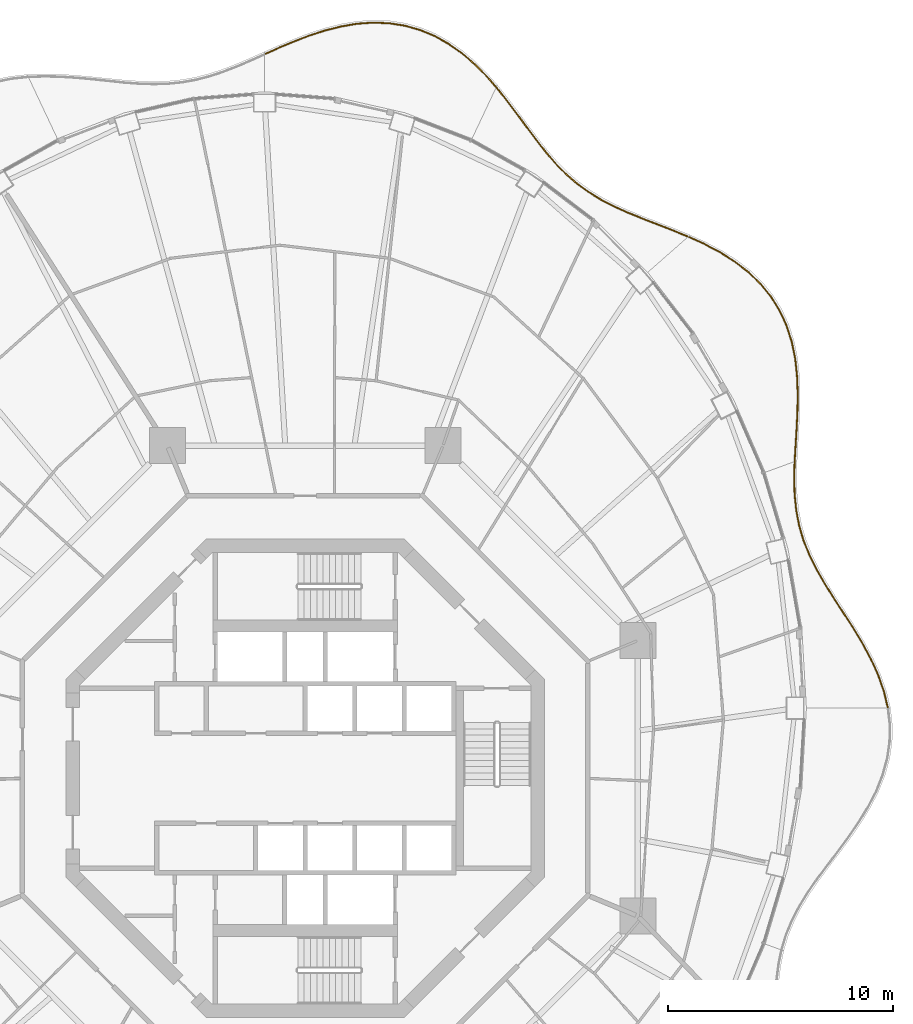
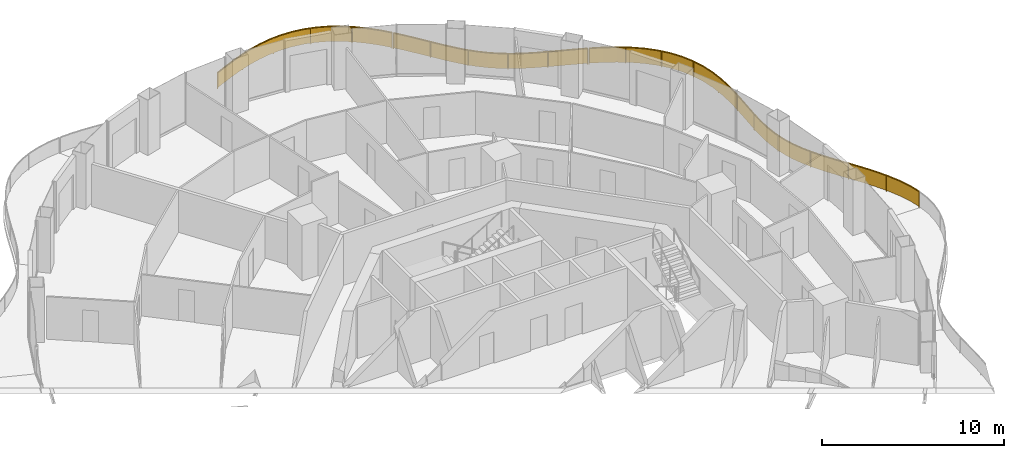
# One storey, part 18 of 18: 4 railings.
"""IFC4 building model written with IfcOpenShell, lengths in metres."""

from ifc_helpers import new_model, si_unit, direction, frame, origin, origin_2d, place, context, subcontext, project, spatial, polyline, rectangle, outline, extrude, material, type_object, element, save


model = new_model("IFC4")

# Units and contexts
model_context = context("Model", 3, precision=1e-05, world=origin(), true_north=direction((0.0, 1.0)))
body_context = subcontext(model_context, "Body", "Model", "MODEL_VIEW")
ifc_project = project(units=[si_unit("LENGTHUNIT", "METRE"), si_unit("AREAUNIT", "SQUARE_METRE"), si_unit("VOLUMEUNIT", "CUBIC_METRE"), si_unit("PLANEANGLEUNIT", "RADIAN"), si_unit("MASSUNIT", "GRAM", prefix="KILO")], contexts=[model_context])

# Site, building, storey
site_placement = place(None, origin())
site = spatial("IfcSite", under=ifc_project, at=site_placement, CompositionType="ELEMENT")
building_placement = place(site_placement, origin())
building = spatial("IfcBuilding", under=site, at=building_placement, Name="Nagisa Residences", CompositionType="ELEMENT")
storey_placement = place(building_placement, frame((0.0, 0.0, 241.800048828125)))
storey = spatial("IfcBuildingStorey", under=building, at=storey_placement, Name="L61", CompositionType="ELEMENT", Elevation=241.800048828125)

# Railings
ifc_material = material(Name="Stainless steel 316", Category="steel")
railing_type = type_object("IfcRailingType", Name="BALCONY GUARD 1100", PredefinedType="BALUSTRADE", material=ifc_material)
railing_1_placement = place(storey_placement, frame((25.881591796875, 3.1552734375, 0.0)))
element("IfcRailing", 1, at=railing_1_placement, inside=storey, type_object=railing_type, Name="guard:L61:bal00-0", PredefinedType="BALUSTRADE", context=body_context, shape_type="SweptSolid", body=[
    extrude(outline(polyline([(-0.1904296875, 0.693359375), (-0.0244140625, -0.005859375), (0.0244140625, 0.005859375), (-0.142578125, 0.70751953125), (-0.401123046875, 1.4443359375), (-0.72900390625, 2.1669921875), (-1.109619140625, 2.8720703125), (-1.5244140625, 3.5595703125), (-1.952880859375, 4.216064453125), (-2.379150390625, 4.87158203125), (-2.78271484375, 5.5166015625), (-3.148681640625, 6.155517578125), (-3.46435546875, 6.794921875), (-3.7177734375, 7.4267578125), (-3.91064453125, 8.08447265625), (-4.039794921875, 8.76025390625), (-4.1103515625, 9.457763671875), (-4.1298828125, 10.1796875), (-4.111328125, 10.8828125), (-4.1611328125, 10.88427734375), (-4.18017578125, 10.1796875), (-4.16015625, 9.454345703125), (-4.089599609375, 8.7529296875), (-3.95947265625, 8.07275390625), (-3.76513671875, 7.41015625), (-3.51025390625, 6.7744140625), (-3.193115234375, 6.132080078125), (-2.82568359375, 5.49072265625), (-2.421142578125, 4.8447265625), (-1.994873046875, 4.188720703125), (-1.56689453125, 3.53271484375), (-1.153076171875, 2.84716796875), (-0.77392578125, 2.14453125), (-0.447509765625, 1.42578125), (-0.1904296875, 0.693359375)])), frame((0.0, 0.0, 1.050048828125)), (0.0, 0.0, 1.0), 0.050048828125),
    extrude(outline(polyline([(-0.17333984375, 0.698486328125), (-0.0068359375, -0.001708984375), (0.0068359375, 0.001708984375), (-0.15966796875, 0.702392578125), (-0.417724609375, 1.437744140625), (-0.7451171875, 2.158935546875), (-1.125244140625, 2.863037109375), (-1.539794921875, 3.5498046875), (-1.968017578125, 4.206298828125), (-2.394287109375, 4.86181640625), (-2.798095703125, 5.50732421875), (-3.164794921875, 6.14697265625), (-3.48095703125, 6.78759765625), (-3.73486328125, 7.420654296875), (-3.92822265625, 8.080322265625), (-4.057861328125, 8.757568359375), (-4.128173828125, 9.45654296875), (-4.14794921875, 10.1796875), (-4.129150390625, 10.88330078125), (-4.143310546875, 10.8837890625), (-4.162109375, 10.1796875), (-4.142333984375, 9.45556640625), (-4.071533203125, 8.755615234375), (-3.94189453125, 8.076904296875), (-3.748046875, 7.416259765625), (-3.49365234375, 6.78173828125), (-3.177001953125, 6.140625), (-2.810302734375, 5.5), (-2.406005859375, 4.8544921875), (-1.979736328125, 4.198486328125), (-1.551513671875, 3.54248046875), (-1.137451171875, 2.856201171875), (-0.7578125, 2.152587890625), (-0.430908203125, 1.432373046875), (-0.17333984375, 0.698486328125)])), frame((0.0, 0.0, 0.06005859375)), (0.0, 0.0, 1.0), 0.989990234375),
    extrude(rectangle(XDim=0.0400390625, YDim=0.0400390625, at=origin_2d()), origin(), (0.0, 0.0, 1.0), 1.050048828125),
    extrude(rectangle(XDim=0.0400390625, YDim=0.0400390625, at=origin_2d()), frame((-0.790771484375, 2.228515625, 0.0)), (0.0, 0.0, 1.0), 1.050048828125),
    extrude(rectangle(XDim=0.0400390625, YDim=0.0400390625, at=origin_2d()), frame((-2.01220703125, 4.26123046875, 0.0)), (0.0, 0.0, 1.0), 1.050048828125),
    extrude(rectangle(XDim=0.0400390625, YDim=0.0400390625, at=origin_2d()), frame((-3.242431640625, 6.28857421875, 0.0)), (0.0, 0.0, 1.0), 1.050048828125),
    extrude(rectangle(XDim=0.0400390625, YDim=0.0400390625, at=origin_2d()), frame((-4.019287109375, 8.519287109375, 0.0)), (0.0, 0.0, 1.0), 1.050048828125),
    extrude(rectangle(XDim=0.0400390625, YDim=0.0400390625, at=origin_2d()), frame((-4.13623046875, 10.883544921875, 0.0)), (0.0, 0.0, 1.0), 1.050048828125),
])
railing_2_placement = place(storey_placement, frame((21.75048828125, 14.11328125, 0.0)))
element("IfcRailing", 2, at=railing_2_placement, inside=storey, type_object=railing_type, Name="guard:L61:bal01-0", PredefinedType="BALUSTRADE", context=body_context, shape_type="SweptSolid", body=[
    extrude(outline(polyline([(0.01513671875, 0.703857421875), (-0.02490234375, 0.00146484375), (0.02490234375, -0.00146484375), (0.06494140625, 0.700927734375), (0.111572265625, 1.46484375), (0.14794921875, 2.24169921875), (0.157958984375, 3.0234375), (0.125244140625, 3.802978515625), (0.04345703125, 4.556884765625), (-0.1123046875, 5.302490234375), (-0.343505859375, 6.01708984375), (-0.6552734375, 6.6923828125), (-1.0478515625, 7.32080078125), (-1.51123046875, 7.88623046875), (-2.052978515625, 8.40673828125), (-2.658203125, 8.87353515625), (-3.314697265625, 9.2880859375), (-4.00830078125, 9.655517578125), (-4.684326171875, 9.961669921875), (-4.704833984375, 9.916259765625), (-4.0302734375, 9.610595703125), (-3.339599609375, 9.24462890625), (-2.68701171875, 8.83251953125), (-2.085693359375, 8.36865234375), (-1.5478515625, 7.85205078125), (-1.08837890625, 7.29150390625), (-0.69921875, 6.66845703125), (-0.390380859375, 5.9990234375), (-0.16064453125, 5.289794921875), (-0.005859375, 4.549072265625), (0.075439453125, 3.799072265625), (0.107666015625, 3.02294921875), (0.09814453125, 2.2431640625), (0.061767578125, 1.4677734375), (0.01513671875, 0.703857421875)])), frame((0.0, 0.0, 1.050048828125)), (0.0, 0.0, 1.0), 0.050048828125),
    extrude(outline(polyline([(0.032958984375, 0.702880859375), (-0.007080078125, 0.00048828125), (0.007080078125, -0.00048828125), (0.047119140625, 0.701904296875), (0.09375, 1.4658203125), (0.130126953125, 2.2421875), (0.139892578125, 3.023193359375), (0.107421875, 3.801513671875), (0.025634765625, 4.553955078125), (-0.129638671875, 5.2978515625), (-0.3603515625, 6.010498046875), (-0.671142578125, 6.683837890625), (-1.0625, 7.310302734375), (-1.5244140625, 7.873779296875), (-2.064697265625, 8.39306640625), (-2.668701171875, 8.85888671875), (-3.32373046875, 9.2724609375), (-4.01611328125, 9.639404296875), (-4.691650390625, 9.9453125), (-4.697509765625, 9.9326171875), (-4.0224609375, 9.626708984375), (-3.33056640625, 9.26025390625), (-2.676513671875, 8.84716796875), (-2.073974609375, 8.38232421875), (-1.53466796875, 7.864501953125), (-1.07373046875, 7.302001953125), (-0.683349609375, 6.677001953125), (-0.37353515625, 6.005615234375), (-0.143310546875, 5.29443359375), (0.011962890625, 4.552001953125), (0.09326171875, 3.800537109375), (0.125732421875, 3.023193359375), (0.115966796875, 2.24267578125), (0.07958984375, 1.466796875), (0.032958984375, 0.702880859375)])), frame((0.0, 0.0, 0.06005859375)), (0.0, 0.0, 1.0), 0.989990234375),
    extrude(rectangle(XDim=0.0400390625, YDim=0.0400390625, at=origin_2d()), origin(), (0.0, 0.0, 1.0), 1.050048828125),
    extrude(rectangle(XDim=0.0400390625, YDim=0.0400390625, at=origin_2d()), frame((0.1123046875, 2.010986328125, 0.0)), (0.0, 0.0, 1.0), 1.050048828125),
    extrude(rectangle(XDim=0.0400390625, YDim=0.0400390625, at=origin_2d()), frame((0.076416015625, 4.022705078125, 0.0)), (0.0, 0.0, 1.0), 1.050048828125),
    extrude(rectangle(XDim=0.0400390625, YDim=0.0400390625, at=origin_2d()), frame((-0.358642578125, 5.982421875, 0.0)), (0.0, 0.0, 1.0), 1.050048828125),
    extrude(rectangle(XDim=0.0400390625, YDim=0.0400390625, at=origin_2d()), frame((-1.390625, 7.69970703125, 0.0)), (0.0, 0.0, 1.0), 1.050048828125),
    extrude(rectangle(XDim=0.0400390625, YDim=0.0400390625, at=origin_2d()), frame((-2.913330078125, 9.005126953125, 0.0)), (0.0, 0.0, 1.0), 1.050048828125),
    extrude(rectangle(XDim=0.0400390625, YDim=0.0400390625, at=origin_2d()), frame((-4.694580078125, 9.93896484375, 0.0)), (0.0, 0.0, 1.0), 1.050048828125),
])
railing_3_placement = place(storey_placement, frame((16.98486328125, 24.08154296875, 0.0)))
element("IfcRailing", 3, at=railing_3_placement, inside=storey, type_object=railing_type, Name="guard:L61:bal02-0", PredefinedType="BALUSTRADE", context=body_context, shape_type="SweptSolid", body=[
    extrude(outline(polyline([(-0.65869140625, 0.24169921875), (-0.009521484375, -0.023193359375), (0.009521484375, 0.023193359375), (-0.64013671875, 0.2880859375), (-1.32763671875, 0.55615234375), (-2.000244140625, 0.8173828125), (-2.649658203125, 1.083251953125), (-3.268798828125, 1.364013671875), (-3.841796875, 1.658935546875), (-4.390625, 1.997314453125), (-4.90478515625, 2.37451171875), (-5.3876953125, 2.794189453125), (-5.844482421875, 3.257568359375), (-6.26904296875, 3.753662109375), (-6.697265625, 4.296142578125), (-7.1240234375, 4.86767578125), (-7.55859375, 5.458251953125), (-8.009765625, 6.0556640625), (-8.45361328125, 6.611328125), (-8.49267578125, 6.580078125), (-8.04931640625, 6.02490234375), (-7.5986328125, 5.428466796875), (-7.1640625, 4.837890625), (-6.73681640625, 4.265869140625), (-6.3076171875, 3.721923828125), (-5.881591796875, 3.223876953125), (-5.421875, 2.757568359375), (-4.93603515625, 2.33544921875), (-4.41845703125, 1.955810546875), (-3.8662109375, 1.615478515625), (-3.290771484375, 1.319091796875), (-2.669677734375, 1.037353515625), (-2.018798828125, 0.77099609375), (-1.345703125, 0.50927734375), (-0.65869140625, 0.24169921875)])), frame((0.0, 0.0, 1.050048828125)), (0.0, 0.0, 1.0), 0.050048828125),
    extrude(outline(polyline([(-0.652099609375, 0.25830078125), (-0.002685546875, -0.006591796875), (0.002685546875, 0.006591796875), (-0.646728515625, 0.271484375), (-1.334228515625, 0.539306640625), (-2.0068359375, 0.80078125), (-2.656982421875, 1.066650390625), (-3.27685546875, 1.347900390625), (-3.8505859375, 1.643310546875), (-4.400634765625, 1.982421875), (-4.916015625, 2.3603515625), (-5.39990234375, 2.781005859375), (-5.85791015625, 3.245361328125), (-6.282958984375, 3.7421875), (-6.71142578125, 4.28515625), (-7.138427734375, 4.85693359375), (-7.572998046875, 5.447509765625), (-8.02392578125, 6.044677734375), (-8.4677734375, 6.60009765625), (-8.478515625, 6.59130859375), (-8.03515625, 6.035888671875), (-7.584228515625, 5.439208984375), (-7.149658203125, 4.8486328125), (-6.72265625, 4.27685546875), (-6.293701171875, 3.7333984375), (-5.8681640625, 3.236083984375), (-5.40966796875, 2.770751953125), (-4.9248046875, 2.349609375), (-4.408447265625, 1.970703125), (-3.857421875, 1.631103515625), (-3.28271484375, 1.335205078125), (-2.662353515625, 1.053955078125), (-2.01220703125, 0.78759765625), (-1.339111328125, 0.526123046875), (-0.652099609375, 0.25830078125)])), frame((0.0, 0.0, 0.06005859375)), (0.0, 0.0, 1.0), 0.989990234375),
    extrude(rectangle(XDim=0.0400390625, YDim=0.0400390625, at=origin_2d()), origin(), (0.0, 0.0, 1.0), 1.050048828125),
    extrude(rectangle(XDim=0.0400390625, YDim=0.0400390625, at=origin_2d()), frame((-2.050048828125, 0.810791015625, 0.0)), (0.0, 0.0, 1.0), 1.050048828125),
    extrude(rectangle(XDim=0.0400390625, YDim=0.0400390625, at=origin_2d()), frame((-4.04052734375, 1.752197265625, 0.0)), (0.0, 0.0, 1.0), 1.050048828125),
    extrude(rectangle(XDim=0.0400390625, YDim=0.0400390625, at=origin_2d()), frame((-5.752685546875, 3.128662109375, 0.0)), (0.0, 0.0, 1.0), 1.050048828125),
    extrude(rectangle(XDim=0.0400390625, YDim=0.0400390625, at=origin_2d()), frame((-7.136474609375, 4.8427734375, 0.0)), (0.0, 0.0, 1.0), 1.050048828125),
    extrude(rectangle(XDim=0.0400390625, YDim=0.0400390625, at=origin_2d()), frame((-8.47314453125, 6.595703125, 0.0)), (0.0, 0.0, 1.0), 1.050048828125),
])
railing_4_placement = place(storey_placement, frame((8.463134765625, 30.73681640625, 0.0)))
element("IfcRailing", 4, at=railing_4_placement, inside=storey, type_object=railing_type, Name="guard:L61:bal03-0", PredefinedType="BALUSTRADE", context=body_context, shape_type="SweptSolid", body=[
    extrude(outline(polyline([(-0.47119140625, 0.498046875), (-0.018798828125, -0.0166015625), (0.018798828125, 0.0166015625), (-0.4345703125, 0.5322265625), (-0.95361328125, 1.0478515625), (-1.5068359375, 1.517333984375), (-2.09521484375, 1.929443359375), (-2.716064453125, 2.274169921875), (-3.351318359375, 2.53955078125), (-4.02880859375, 2.730224609375), (-4.72607421875, 2.839111328125), (-5.436767578125, 2.86767578125), (-6.154541015625, 2.819580078125), (-6.856201171875, 2.699462890625), (-7.567138671875, 2.522216796875), (-8.269287109375, 2.29638671875), (-8.95703125, 2.034912109375), (-9.62841796875, 1.752197265625), (-10.2392578125, 1.478271484375), (-10.21875, 1.432373046875), (-9.6083984375, 1.706298828125), (-8.9384765625, 1.988525390625), (-8.252685546875, 2.2490234375), (-7.553466796875, 2.473876953125), (-6.845947265625, 2.650634765625), (-6.148681640625, 2.769775390625), (-5.436279296875, 2.8173828125), (-4.73095703125, 2.789306640625), (-4.03955078125, 2.681396484375), (-3.367919921875, 2.4921875), (-2.738037109375, 2.229248046875), (-2.12158203125, 1.886962890625), (-1.53759765625, 1.477783203125), (-0.9873046875, 1.0107421875), (-0.47119140625, 0.498046875)])), frame((0.0, 0.0, 1.050048828125)), (0.0, 0.0, 1.0), 0.050048828125),
    extrude(outline(polyline([(-0.4580078125, 0.51025390625), (-0.00537109375, -0.004638671875), (0.00537109375, 0.004638671875), (-0.44775390625, 0.52001953125), (-0.9658203125, 1.034423828125), (-1.517822265625, 1.503173828125), (-2.104736328125, 1.9140625), (-2.723876953125, 2.258056640625), (-3.357421875, 2.5224609375), (-4.03271484375, 2.712646484375), (-4.727783203125, 2.8212890625), (-5.4365234375, 2.849609375), (-6.15234375, 2.8017578125), (-6.8525390625, 2.681884765625), (-7.562255859375, 2.5048828125), (-8.26318359375, 2.279296875), (-8.950439453125, 2.018310546875), (-9.62109375, 1.735595703125), (-10.23193359375, 1.461669921875), (-10.22607421875, 1.448974609375), (-9.61572265625, 1.722900390625), (-8.945068359375, 2.005126953125), (-8.2587890625, 2.26611328125), (-7.558349609375, 2.4912109375), (-6.849609375, 2.668212890625), (-6.15087890625, 2.78759765625), (-5.4365234375, 2.83544921875), (-4.729248046875, 2.80712890625), (-4.03564453125, 2.698974609375), (-3.36181640625, 2.50927734375), (-2.730224609375, 2.245361328125), (-2.112060546875, 1.90234375), (-1.526611328125, 1.491943359375), (-0.97509765625, 1.024169921875), (-0.4580078125, 0.51025390625)])), frame((0.0, 0.0, 0.06005859375)), (0.0, 0.0, 1.0), 0.989990234375),
    extrude(rectangle(XDim=0.0400390625, YDim=0.0400390625, at=origin_2d()), origin(), (0.0, 0.0, 1.0), 1.050048828125),
    extrude(rectangle(XDim=0.0400390625, YDim=0.0400390625, at=origin_2d()), frame((-1.63525390625, 1.57666015625, 0.0)), (0.0, 0.0, 1.0), 1.050048828125),
    extrude(rectangle(XDim=0.0400390625, YDim=0.0400390625, at=origin_2d()), frame((-3.654296875, 2.598876953125, 0.0)), (0.0, 0.0, 1.0), 1.050048828125),
    extrude(rectangle(XDim=0.0400390625, YDim=0.0400390625, at=origin_2d()), frame((-5.906494140625, 2.81103515625, 0.0)), (0.0, 0.0, 1.0), 1.050048828125),
    extrude(rectangle(XDim=0.0400390625, YDim=0.0400390625, at=origin_2d()), frame((-8.12255859375, 2.317138671875, 0.0)), (0.0, 0.0, 1.0), 1.050048828125),
    extrude(rectangle(XDim=0.0400390625, YDim=0.0400390625, at=origin_2d()), frame((-10.22900390625, 1.455322265625, 0.0)), (0.0, 0.0, 1.0), 1.050048828125),
])

save(model, "model.ifc")
